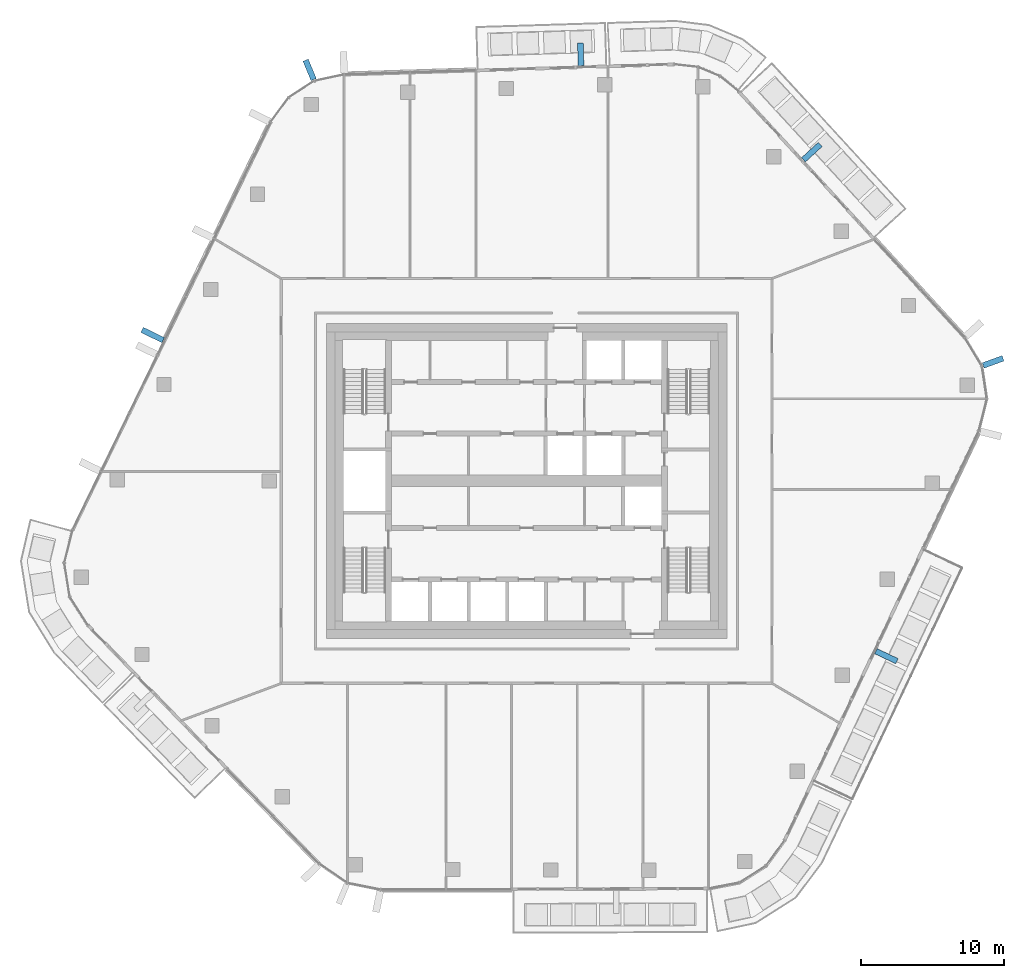
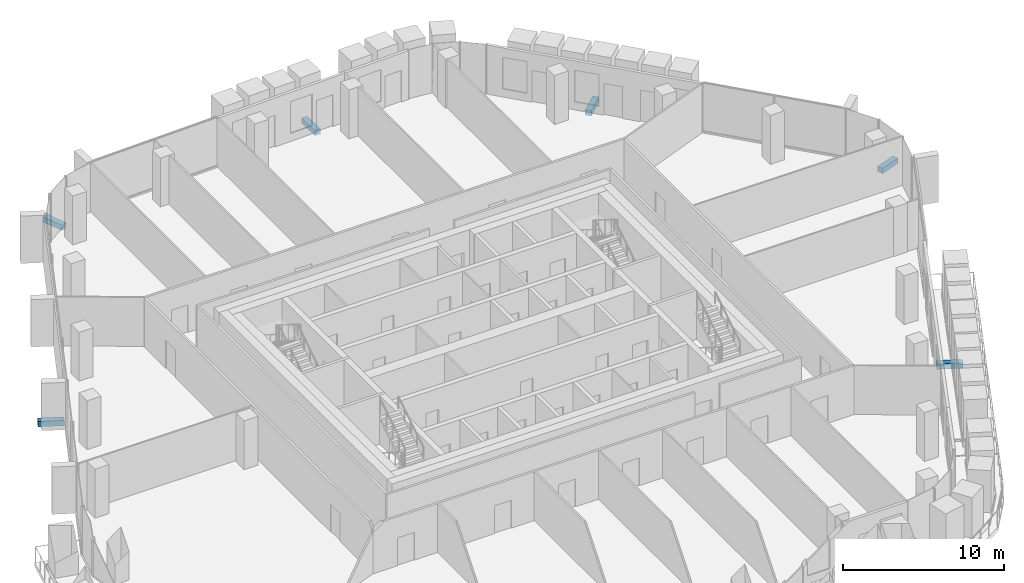
# One storey, part 17 of 24: 6 discrete accessories.
"""IFC4 building model written with IfcOpenShell, lengths in metres."""

from ifc_helpers import new_model, si_unit, direction, frame, origin, origin_2d, place, context, subcontext, project, spatial, rectangle, extrude, material, type_object, element, save


model = new_model("IFC4")

# Units and contexts
model_context = context("Model", 3, precision=1e-05, world=origin(), true_north=direction((0.0, 1.0)))
body_context = subcontext(model_context, "Body", "Model", "MODEL_VIEW")
ifc_project = project(units=[si_unit("LENGTHUNIT", "METRE"), si_unit("AREAUNIT", "SQUARE_METRE"), si_unit("VOLUMEUNIT", "CUBIC_METRE"), si_unit("PLANEANGLEUNIT", "RADIAN"), si_unit("MASSUNIT", "GRAM", prefix="KILO")], contexts=[model_context])

# Site, building, storey
site_placement = place(None, origin())
site = spatial("IfcSite", under=ifc_project, at=site_placement, CompositionType="ELEMENT")
building_placement = place(site_placement, origin())
building = spatial("IfcBuilding", under=site, at=building_placement, Name="Dongbaek Canopy Tower", CompositionType="ELEMENT")
storey_placement = place(building_placement, frame((0.0, 0.0, 348.800048828125)))
storey = spatial("IfcBuildingStorey", under=building, at=storey_placement, Name="L75", CompositionType="ELEMENT", Elevation=348.800048828125)

# Discrete accessories
ifc_material = material(Name="Galvanised steel S355 bracket", Category="steel")
discrete_accessory_type = type_object("IfcDiscreteAccessoryType", Name="Crease fin bracket BR3 400", PredefinedType="BRACKET", material=ifc_material)
discrete_accessory_1_placement = place(storey_placement, frame((25.157470703125, -12.25341796875, -0.389892578125), z_axis=(0.0, 0.0, 1.0), x_axis=(0.903531340267, -0.428522014784, 0.0)))
element("IfcDiscreteAccessory", 1, at=discrete_accessory_1_placement, inside=storey, type_object=discrete_accessory_type, Name="Crease fin bracket L75 F5", PredefinedType="BRACKET", context=body_context, shape_type="SweptSolid", body=[
    extrude(rectangle(XDim=1.6279296875, YDim=0.39990234375, at=origin_2d()), origin(), (0.0, 0.0, 1.0), 0.39990234375),
])
discrete_accessory_2_placement = place(storey_placement, frame((19.94091796875, 22.9814453125, -0.389892578125), z_axis=(0.0, 0.0, 1.0), x_axis=(0.736567095318, 0.676364483171, 0.0)))
element("IfcDiscreteAccessory", 2, at=discrete_accessory_2_placement, inside=storey, type_object=discrete_accessory_type, Name="Crease fin bracket L75 F0", PredefinedType="BRACKET", context=body_context, shape_type="SweptSolid", body=[
    extrude(rectangle(XDim=1.5888671875, YDim=0.39990234375, at=origin_2d()), origin(), (0.0, 0.0, 1.0), 0.39990234375),
])
discrete_accessory_3_placement = place(storey_placement, frame((3.78515625, 29.820556640625, -0.389892578125), z_axis=(0.0, 0.0, 1.0), x_axis=(-0.031004295439, 0.999519251272, 0.0)))
element("IfcDiscreteAccessory", 3, at=discrete_accessory_3_placement, inside=storey, type_object=discrete_accessory_type, Name="Crease fin bracket L75 F1", PredefinedType="BRACKET", context=body_context, shape_type="SweptSolid", body=[
    extrude(rectangle(XDim=1.593017578125, YDim=0.39990234375, at=origin_2d()), origin(), (0.0, 0.0, 1.0), 0.39990234375),
])
discrete_accessory_4_placement = place(storey_placement, frame((-26.14208984375, 10.198974609375, -0.389892578125), z_axis=(0.0, 0.0, 1.0), x_axis=(-0.899563115429, 0.436790798164, 0.0)))
element("IfcDiscreteAccessory", 4, at=discrete_accessory_4_placement, inside=storey, type_object=discrete_accessory_type, Name="Crease fin bracket L75 F2", PredefinedType="BRACKET", context=body_context, shape_type="SweptSolid", body=[
    extrude(rectangle(XDim=1.63720703125, YDim=0.39990234375, at=origin_2d()), origin(), (0.0, 0.0, 1.0), 0.39990234375),
])
for number, where, z_axis, x_axis, name in (
    (5, (32.617919921875, 8.32080078125, -0.389892578125), (0.0, 0.0, 1.0), (0.940195416555, 0.340635551124, 0.0), "Corner fin bracket L75 K0"),
    (6, (-15.165771484375, 28.733154296875, -0.389892578125), (0.0, 0.0, 1.0), (-0.383510478012, 0.923536525133, 0.0), "Corner fin bracket L75 K2"),
):
    element("IfcDiscreteAccessory", number, at=place(storey_placement, frame(where, z_axis=z_axis, x_axis=x_axis)), inside=storey, type_object=discrete_accessory_type, Name=name, PredefinedType="BRACKET", context=body_context, shape_type="SweptSolid", body=[
        extrude(rectangle(XDim=1.469970703125, YDim=0.39990234375, at=origin_2d()), origin(), (0.0, 0.0, 1.0), 0.39990234375),
    ])

save(model, "model.ifc")
